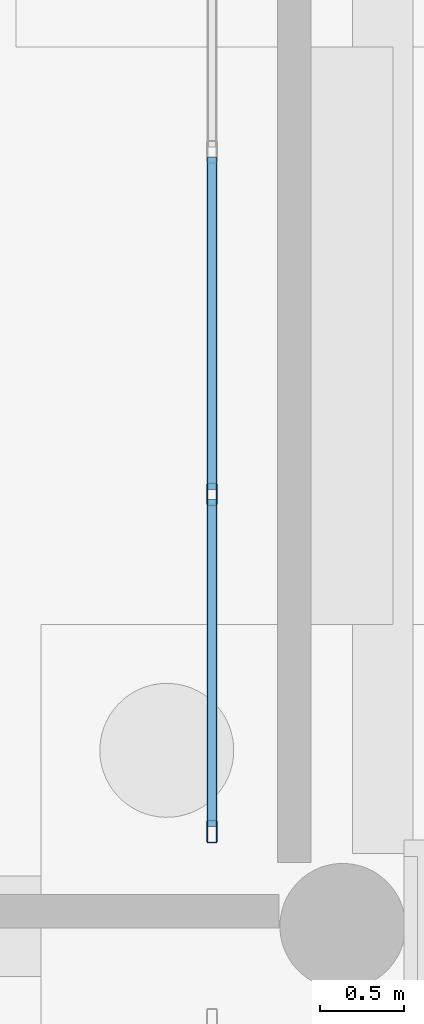
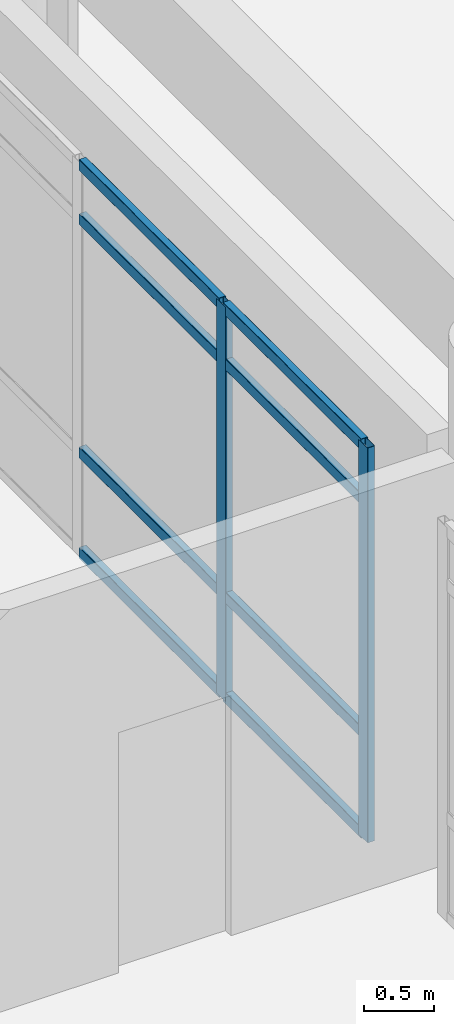
# One storey, part 116 of 196: 10 members, 1 element without a shape of its own.
"""IFC4 building model written with IfcOpenShell, lengths in metres."""

import ifcopenshell
import ifcopenshell.guid

model = None  # the IFC model being written
_history = None  # IfcOwnerHistory: only IFC2X3 demands one
_inside = {}  # id of a spatial element -> (the spatial element, [elements in it])
_under = {}  # id of a project, library or spatial element -> (it, [spatial elements below it])
_declared = {}  # id of a project -> (the project, [libraries it declares])
_typed = {}  # id of a type object -> (the type object, [elements of that type])
_made_of = {}  # id of a material, layer set ... -> (it, [elements and type objects made of it])


def new_model(schema):
    """Start an empty IFC model of exactly this schema.

    Asked for "IFC4X3", IfcOpenShell would pick the latest addendum, in which some entities
    have other attributes; the version numbers below select the first issue.
    IFC2X3 requires an IfcOwnerHistory on every rooted entity: one is made here for all.
    """
    global model, _history
    if schema == "IFC4X3":
        model = ifcopenshell.file(schema_version=(4, 3, 0, 0))
    else:
        model = ifcopenshell.file(schema=schema)
    _inside.clear()
    _under.clear()
    _declared.clear()
    _typed.clear()
    _made_of.clear()
    _history = None
    if model.schema == "IFC2X3":
        org = make("IfcOrganization", Name="unknown")
        user = make(
            "IfcPersonAndOrganization",
            ThePerson=make("IfcPerson", FamilyName="unknown"),
            TheOrganization=org,
        )
        app = make(
            "IfcApplication",
            ApplicationDeveloper=org,
            Version="unknown",
            ApplicationFullName="unknown",
            ApplicationIdentifier="unknown",
        )
        _history = make(
            "IfcOwnerHistory",
            OwningUser=user,
            OwningApplication=app,
            ChangeAction="ADDED",
            CreationDate=0,
        )
    return model


def make(cls, **values):
    """One entity of the class cls with the attributes given. An attribute that is None is left unset."""
    return model.create_entity(
        cls, **{name: value for name, value in values.items() if value is not None}
    )


def rooted(cls, **values):
    """An entity with a GlobalId (a new one), such as an element, a storey or a relation."""
    return make(cls, GlobalId=ifcopenshell.guid.new(), OwnerHistory=_history, **values)


def si_unit(unit_type, name, prefix=None):
    """IfcSIUnit, for example si_unit("LENGTHUNIT", "METRE", prefix="MILLI")."""
    return make("IfcSIUnit", UnitType=unit_type, Prefix=prefix, Name=name)


def assignment(units):
    """IfcUnitAssignment: the units of a project."""
    return None if units is None else make("IfcUnitAssignment", Units=units)


def point(xyz):
    """IfcCartesianPoint."""
    return None if xyz is None else make("IfcCartesianPoint", Coordinates=xyz)


def direction(xyz):
    """IfcDirection."""
    return None if xyz is None else make("IfcDirection", DirectionRatios=xyz)


def frame(location, z_axis=None, x_axis=None):
    """IfcAxis2Placement3D, a coordinate frame: its origin and axes. An axis left out is left unset."""
    return make(
        "IfcAxis2Placement3D",
        Location=point(location),
        Axis=direction(z_axis),
        RefDirection=direction(x_axis),
    )


def frame_2d(location, x_axis=None):
    """IfcAxis2Placement2D, a coordinate frame in the plane: its origin and x axis."""
    return make(
        "IfcAxis2Placement2D", Location=point(location), RefDirection=direction(x_axis)
    )


def origin():
    """The frame at (0, 0, 0) with its axes left unset."""
    return frame((0.0, 0.0, 0.0))


def origin_2d():
    """The frame at (0, 0) in the plane with its x axis left unset."""
    return frame_2d((0.0, 0.0))


def place(relative_to, where):
    """IfcLocalPlacement: puts the frame where relative to a parent placement (None: the world)."""
    return make(
        "IfcLocalPlacement", PlacementRelTo=relative_to, RelativePlacement=where
    )


def context(
    kind, dimensions, precision=None, world=None, true_north=None, identifier=None
):
    """IfcGeometricRepresentationContext, for example the 3D "Model" context."""
    return make(
        "IfcGeometricRepresentationContext",
        ContextIdentifier=identifier,
        ContextType=kind,
        CoordinateSpaceDimension=dimensions,
        Precision=precision,
        WorldCoordinateSystem=world,
        TrueNorth=true_north,
    )


def subcontext(parent, identifier, kind, view, scale=None):
    """IfcGeometricRepresentationSubContext, for example "Body" below "Model"."""
    return make(
        "IfcGeometricRepresentationSubContext",
        ContextIdentifier=identifier,
        ContextType=kind,
        ParentContext=parent,
        TargetScale=scale,
        TargetView=view,
    )


def project(units=None, contexts=None):
    """IfcProject with its units and contexts."""
    return rooted(
        "IfcProject",
        Name="project",
        RepresentationContexts=contexts,
        UnitsInContext=assignment(units),
    )


def spatial(cls, under=None, at=None, **own):
    """A site, building, storey or space (cls), placed at a placement, below another one or the project."""
    s = rooted(cls, ObjectPlacement=at, **own)
    if under is not None:
        _under.setdefault(under.id(), (under, []))[1].append(s)
    return s


def profile(cls, at=None, kind="AREA", **sizes):
    """A parametric profile (cls). Its sizes go by their IFC names, for example OverallWidth=200.0."""
    return make(cls, ProfileType=kind, Position=at, **sizes)


def hollow_rectangle(**sizes):
    """IfcRectangleHollowProfileDef."""
    return profile("IfcRectangleHollowProfileDef", **sizes)


def extrude(swept, where, along, depth):
    """IfcExtrudedAreaSolid: the profile swept, set in the frame where, extruded along a direction by depth."""
    return make(
        "IfcExtrudedAreaSolid",
        SweptArea=swept,
        Position=where,
        ExtrudedDirection=direction(along),
        Depth=depth,
    )


def shape(context_of_items, identifier, shape_type, items):
    """IfcShapeRepresentation: the items that make up one representation, for example the "Body"."""
    return make(
        "IfcShapeRepresentation",
        ContextOfItems=context_of_items,
        RepresentationIdentifier=identifier,
        RepresentationType=shape_type,
        Items=items,
    )


def material(Name=None, Category=None):
    """IfcMaterial."""
    return make("IfcMaterial", Name=Name, Category=Category)


def layer(
    of_material, thickness, ventilated=None, Name=None, Category=None, Priority=None
):
    """IfcMaterialLayer: one layer of a wall or slab, of a material (None: an air gap)."""
    return make(
        "IfcMaterialLayer",
        Material=of_material,
        LayerThickness=thickness,
        IsVentilated=ventilated,
        Name=Name,
        Category=Category,
        Priority=Priority,
    )


def layer_set(layers, Name=None):
    """IfcMaterialLayerSet."""
    return make("IfcMaterialLayerSet", MaterialLayers=layers, LayerSetName=Name)


def material_profile(
    of_material, cross_section, Name=None, Category=None, Priority=None
):
    """IfcMaterialProfile: a cross section and its material."""
    return make(
        "IfcMaterialProfile",
        Name=Name,
        Material=of_material,
        Profile=cross_section,
        Priority=Priority,
        Category=Category,
    )


def profile_set(profiles, Name=None, composite=None):
    """IfcMaterialProfileSet."""
    return make(
        "IfcMaterialProfileSet",
        Name=Name,
        MaterialProfiles=profiles,
        CompositeProfile=composite,
    )


def made_of(thing, what):
    """Note that an element or type object is made of a material, layer set ...; save() writes the relation."""
    if what is not None:
        _made_of.setdefault(what.id(), (what, []))[1].append(thing)
    return thing


def type_object(cls, material=None, **own):
    """A type object (cls), such as IfcWallType, which elements share."""
    return made_of(rooted(cls, **own), material)


def element(
    cls,
    number,
    at=None,
    inside=None,
    cuts=None,
    type_object=None,
    material=None,
    context=None,
    identifier="Body",
    shape_type=None,
    held_by="IfcProductDefinitionShape",
    body=None,
    shapes=None,
    **own,
):
    """One element of the class cls, such as IfcWall. Its Tag is "e" and its number.

    at: its placement. inside: the storey or other place that contains it. cuts: it is an
    opening in that element (IfcRelVoidsElement). A single representation is given by context,
    identifier, shape_type and body (its items); several are given by shapes. held_by: the class
    of the entity that holds the representations. save() writes the other relations.
    """
    e = rooted(cls, Tag="e%d" % number, ObjectPlacement=at, **own)
    if body is not None:
        shapes = [shape(context, identifier, shape_type, body)]
    if shapes is not None:
        e.Representation = make(held_by, Representations=shapes)
    if inside is not None:
        _inside.setdefault(inside.id(), (inside, []))[1].append(e)
    if cuts is not None:
        rooted(
            "IfcRelVoidsElement", RelatingBuildingElement=cuts, RelatedOpeningElement=e
        )
    if type_object is not None:
        _typed.setdefault(type_object.id(), (type_object, []))[1].append(e)
    return made_of(e, material)


def aggregate(whole, parts):
    """IfcRelAggregates: a whole, such as a stair, and the parts it consists of."""
    return rooted("IfcRelAggregates", RelatingObject=whole, RelatedObjects=parts)


def save(model, path):
    """Write the relations noted so far, then the file.

    IfcRelAggregates (storeys below a building ...), IfcRelContainedInSpatialStructure (elements
    in a storey), IfcRelDefinesByType, IfcRelAssociatesMaterial and IfcRelDeclares: one each for
    every whole, place, type object, material and project.
    """
    for whole, parts in _under.values():
        aggregate(whole, parts)
    for where, things in _inside.values():
        rooted(
            "IfcRelContainedInSpatialStructure",
            RelatedElements=things,
            RelatingStructure=where,
        )
    for kind, things in _typed.values():
        rooted("IfcRelDefinesByType", RelatedObjects=things, RelatingType=kind)
    for what, things in _made_of.values():
        rooted("IfcRelAssociatesMaterial", RelatedObjects=things, RelatingMaterial=what)
    for by, libraries in _declared.values():
        rooted("IfcRelDeclares", RelatingContext=by, RelatedDefinitions=libraries)
    model.write(path)


model = new_model("IFC4")

# Units and contexts
model_context = context("Model", 3, precision=1e-05, world=origin(), true_north=direction((0.0, 1.0)))
body_context = subcontext(model_context, "Body", "Model", "MODEL_VIEW")
ifc_project = project(units=[si_unit("LENGTHUNIT", "METRE"), si_unit("AREAUNIT", "SQUARE_METRE"), si_unit("VOLUMEUNIT", "CUBIC_METRE"), si_unit("PLANEANGLEUNIT", "RADIAN"), si_unit("MASSUNIT", "GRAM", prefix="KILO")], contexts=[model_context])

# Site, building, storey
site_placement = place(None, origin())
site = spatial("IfcSite", under=ifc_project, at=site_placement, CompositionType="ELEMENT")
building_placement = place(site_placement, origin())
building = spatial("IfcBuilding", under=site, at=building_placement, Name="Asteropetra Specialist Clinic", CompositionType="ELEMENT")
storey_placement = place(building_placement, origin())
storey = spatial("IfcBuildingStorey", under=building, at=storey_placement, Name="L00", CompositionType="ELEMENT", Elevation=0.0)

# Curtain wall, members
ifc_material_1 = material(Name="Aluminium and low-E glass", Category="aluminium")
ifc_layer = layer(ifc_material_1, 0.135009765625)
ifc_layer_set = layer_set([ifc_layer], Name="Aluminium and low-E glass")
curtain_wall_type = type_object("IfcCurtainWallType", Name="CW-SYS-12", PredefinedType="USERDEFINED", material=ifc_layer_set)
curtain_wall_placement = place(storey_placement, origin())
curtain_wall = element("IfcCurtainWall", 1, at=curtain_wall_placement, inside=storey, type_object=curtain_wall_type, Name="Curtain Wall CW-191", ObjectType="STICK GLAZED COLONNADE", PredefinedType="USERDEFINED")
ifc_material_2 = material(Name="Aluminium 6063-T6", Category="aluminium")
ifc_material_profile_1 = material_profile(ifc_material_2, hollow_rectangle(XDim=0.06005859375, YDim=0.135009765625, WallThickness=0.00341796875, InnerFilletRadius=0.00341796875, OuterFilletRadius=0.007080078125, at=origin_2d()), Name="MUL 135x60x3.5")
ifc_profile_set_1 = profile_set([ifc_material_profile_1], Name="Aluminium 6063-T6")
member_type_1 = type_object("IfcMemberType", Name="CWM-135x60", PredefinedType="MULLION", material=ifc_profile_set_1)
member_1_placement = place(storey_placement, frame((76.02001953125, 98.965087890625, 0.0), z_axis=(0.0, 0.0, 1.0), x_axis=(-1.0, 0.0, 0.0)))
member_1 = element("IfcMember", 2, at=member_1_placement, type_object=member_type_1, Name="CW-191 mullion 1", PredefinedType="MULLION", context=body_context, shape_type="SweptSolid", body=[
    extrude(hollow_rectangle(XDim=0.06005859375, YDim=0.135009765625, WallThickness=0.00341796875, InnerFilletRadius=0.00341796875, OuterFilletRadius=0.007080078125, at=origin_2d()), origin(), (0.0, 0.0, 1.0), 3.419921875),
])
member_2_placement = place(storey_placement, frame((76.02001953125, 100.978271484375, 0.0), z_axis=(0.0, 0.0, 1.0), x_axis=(-1.0, 0.0, 0.0)))
member_2 = element("IfcMember", 3, at=member_2_placement, type_object=member_type_1, Name="CW-191 mullion 2", PredefinedType="MULLION", context=body_context, shape_type="SweptSolid", body=[
    extrude(hollow_rectangle(XDim=0.06005859375, YDim=0.135009765625, WallThickness=0.00341796875, InnerFilletRadius=0.00341796875, OuterFilletRadius=0.007080078125, at=origin_2d()), origin(), (0.0, 0.0, 1.0), 3.419921875),
])
ifc_material_3 = material(Name="Aluminium 6063-T6", Category="aluminium")
ifc_material_profile_2 = material_profile(ifc_material_3, hollow_rectangle(XDim=0.06005859375, YDim=0.10009765625, WallThickness=0.00341796875, InnerFilletRadius=0.00341796875, OuterFilletRadius=0.007080078125, at=origin_2d()), Name="TRN 100x60x3.5")
ifc_profile_set_2 = profile_set([ifc_material_profile_2], Name="Aluminium 6063-T6")
member_type_2 = type_object("IfcMemberType", Name="CWT-100x60", PredefinedType="USERDEFINED", material=ifc_profile_set_2)
member_3_placement = place(storey_placement, frame((76.02001953125, 98.9951171875, 0.030029296875), z_axis=(0.0, 1.0, 0.0), x_axis=(-1.0, 0.0, 0.0)))
member_3 = element("IfcMember", 4, at=member_3_placement, type_object=member_type_2, Name="CW-191 transom 1.1", ObjectType="TRANSOM", PredefinedType="USERDEFINED", context=body_context, shape_type="SweptSolid", body=[
    extrude(hollow_rectangle(XDim=0.06005859375, YDim=0.10009765625, WallThickness=0.00341796875, InnerFilletRadius=0.00341796875, OuterFilletRadius=0.007080078125, at=origin_2d()), origin(), (0.0, 0.0, 1.0), 1.953125),
])
member_4_placement = place(storey_placement, frame((76.02001953125, 98.9951171875, 0.89990234375), z_axis=(0.0, 1.0, 0.0), x_axis=(-1.0, 0.0, 0.0)))
member_4 = element("IfcMember", 5, at=member_4_placement, type_object=member_type_2, Name="CW-191 transom 1.2", ObjectType="TRANSOM", PredefinedType="USERDEFINED", context=body_context, shape_type="SweptSolid", body=[
    extrude(hollow_rectangle(XDim=0.06005859375, YDim=0.10009765625, WallThickness=0.00341796875, InnerFilletRadius=0.00341796875, OuterFilletRadius=0.007080078125, at=origin_2d()), origin(), (0.0, 0.0, 1.0), 1.953125),
])
member_5_placement = place(storey_placement, frame((76.02001953125, 98.9951171875, 2.919921875), z_axis=(0.0, 1.0, 0.0), x_axis=(-1.0, 0.0, 0.0)))
member_5 = element("IfcMember", 6, at=member_5_placement, type_object=member_type_2, Name="CW-191 transom 1.3", ObjectType="TRANSOM", PredefinedType="USERDEFINED", context=body_context, shape_type="SweptSolid", body=[
    extrude(hollow_rectangle(XDim=0.06005859375, YDim=0.10009765625, WallThickness=0.00341796875, InnerFilletRadius=0.00341796875, OuterFilletRadius=0.007080078125, at=origin_2d()), origin(), (0.0, 0.0, 1.0), 1.953125),
])
member_6_placement = place(storey_placement, frame((76.02001953125, 98.9951171875, 3.389892578125), z_axis=(0.0, 1.0, 0.0), x_axis=(-1.0, 0.0, 0.0)))
member_6 = element("IfcMember", 7, at=member_6_placement, type_object=member_type_2, Name="CW-191 transom 1.4", ObjectType="TRANSOM", PredefinedType="USERDEFINED", context=body_context, shape_type="SweptSolid", body=[
    extrude(hollow_rectangle(XDim=0.06005859375, YDim=0.10009765625, WallThickness=0.00341796875, InnerFilletRadius=0.00341796875, OuterFilletRadius=0.007080078125, at=origin_2d()), origin(), (0.0, 0.0, 1.0), 1.953125),
])
member_7_placement = place(storey_placement, frame((76.02001953125, 101.00830078125, 0.030029296875), z_axis=(0.0, 1.0, 0.0), x_axis=(-1.0, 0.0, 0.0)))
member_7 = element("IfcMember", 8, at=member_7_placement, type_object=member_type_2, Name="CW-191 transom 2.1", ObjectType="TRANSOM", PredefinedType="USERDEFINED", context=body_context, shape_type="SweptSolid", body=[
    extrude(hollow_rectangle(XDim=0.06005859375, YDim=0.10009765625, WallThickness=0.00341796875, InnerFilletRadius=0.00341796875, OuterFilletRadius=0.007080078125, at=origin_2d()), origin(), (0.0, 0.0, 1.0), 1.9833984375),
])
member_8_placement = place(storey_placement, frame((76.02001953125, 101.00830078125, 0.89990234375), z_axis=(0.0, 1.0, 0.0), x_axis=(-1.0, 0.0, 0.0)))
member_8 = element("IfcMember", 9, at=member_8_placement, type_object=member_type_2, Name="CW-191 transom 2.2", ObjectType="TRANSOM", PredefinedType="USERDEFINED", context=body_context, shape_type="SweptSolid", body=[
    extrude(hollow_rectangle(XDim=0.06005859375, YDim=0.10009765625, WallThickness=0.00341796875, InnerFilletRadius=0.00341796875, OuterFilletRadius=0.007080078125, at=origin_2d()), origin(), (0.0, 0.0, 1.0), 1.9833984375),
])
member_9_placement = place(storey_placement, frame((76.02001953125, 101.00830078125, 2.919921875), z_axis=(0.0, 1.0, 0.0), x_axis=(-1.0, 0.0, 0.0)))
member_9 = element("IfcMember", 10, at=member_9_placement, type_object=member_type_2, Name="CW-191 transom 2.3", ObjectType="TRANSOM", PredefinedType="USERDEFINED", context=body_context, shape_type="SweptSolid", body=[
    extrude(hollow_rectangle(XDim=0.06005859375, YDim=0.10009765625, WallThickness=0.00341796875, InnerFilletRadius=0.00341796875, OuterFilletRadius=0.007080078125, at=origin_2d()), origin(), (0.0, 0.0, 1.0), 1.9833984375),
])
member_10_placement = place(storey_placement, frame((76.02001953125, 101.00830078125, 3.389892578125), z_axis=(0.0, 1.0, 0.0), x_axis=(-1.0, 0.0, 0.0)))
member_10 = element("IfcMember", 11, at=member_10_placement, type_object=member_type_2, Name="CW-191 transom 2.4", ObjectType="TRANSOM", PredefinedType="USERDEFINED", context=body_context, shape_type="SweptSolid", body=[
    extrude(hollow_rectangle(XDim=0.06005859375, YDim=0.10009765625, WallThickness=0.00341796875, InnerFilletRadius=0.00341796875, OuterFilletRadius=0.007080078125, at=origin_2d()), origin(), (0.0, 0.0, 1.0), 1.9833984375),
])
aggregate(curtain_wall, [member_1, member_2, member_3, member_4, member_5, member_6, member_7, member_8, member_9, member_10])

save(model, "model.ifc")
